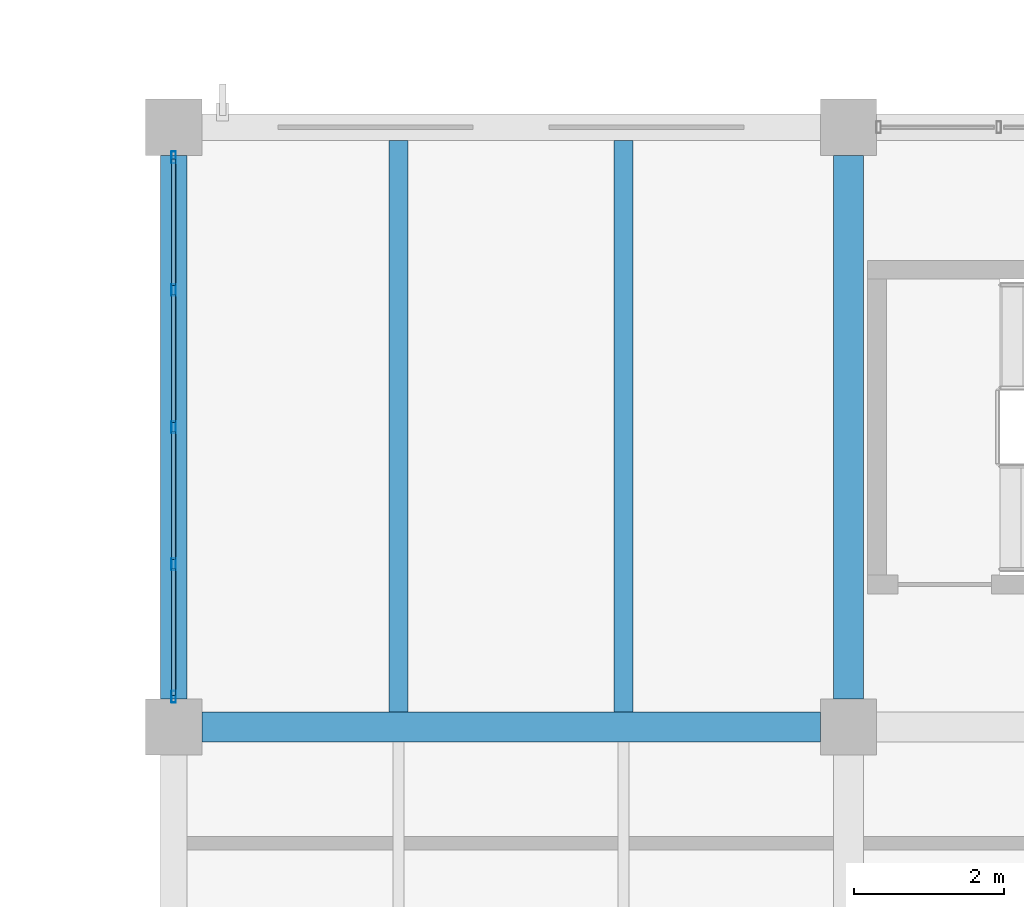
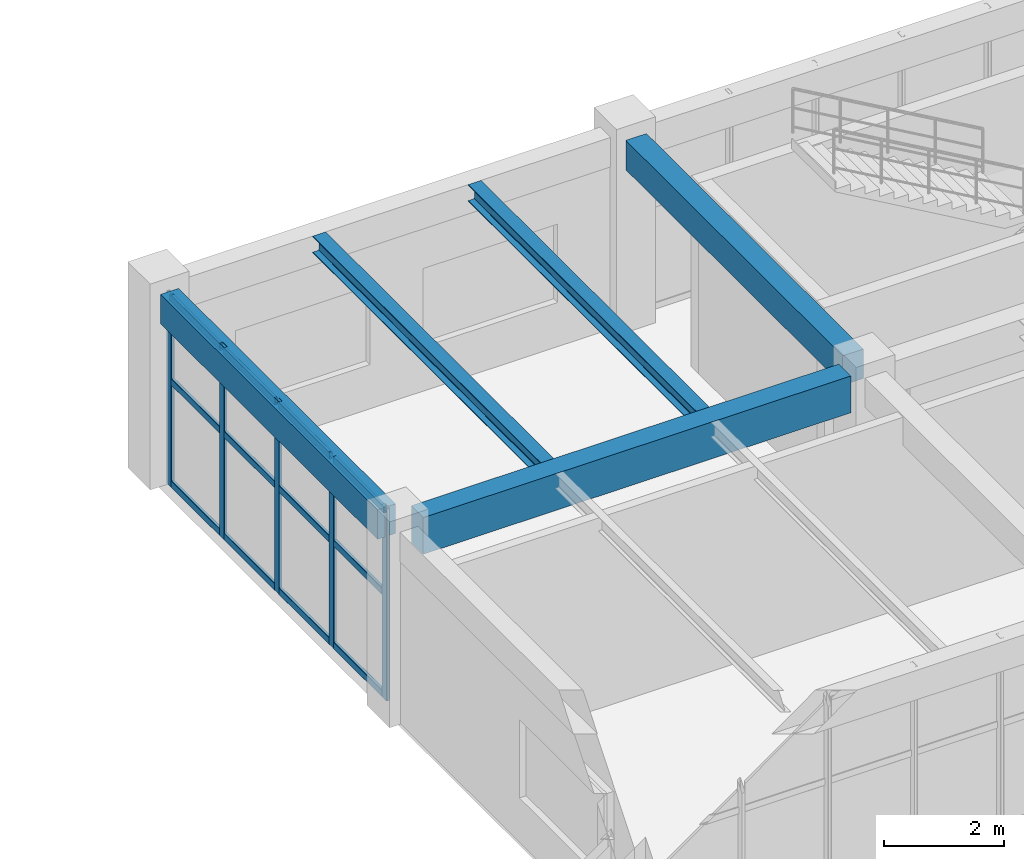
# One storey, part 82 of 148: 17 members, 5 beams, 1 element without a shape of its own.
"""IFC4 building model written with IfcOpenShell, lengths in metres."""

from ifc_helpers import new_model, si_unit, derived_unit, direction, frame, origin, origin_2d, place, context, subcontext, project, spatial, rectangle, hollow_rectangle, i_section, extrude, material, material_profile, profile_set, type_object, element, aggregate, save


model = new_model("IFC4")

# Units and contexts
model_context = context("Model", 3, precision=1e-05, world=origin(), true_north=direction((0.0, 1.0)))
body_context = subcontext(model_context, "Body", "Model", "MODEL_VIEW")
ifc_project = project(units=[si_unit("LENGTHUNIT", "METRE"), si_unit("AREAUNIT", "SQUARE_METRE"), si_unit("VOLUMEUNIT", "CUBIC_METRE"), si_unit("PLANEANGLEUNIT", "RADIAN"), si_unit("MASSUNIT", "GRAM", prefix="KILO"), derived_unit("THERMALTRANSMITTANCEUNIT", [(si_unit("MASSUNIT", "GRAM", prefix="KILO"), 1), (si_unit("TIMEUNIT", "SECOND"), -3), (si_unit("THERMODYNAMICTEMPERATUREUNIT", "KELVIN"), -1)])], contexts=[model_context])

# Site, building, storey
site_placement = place(None, origin())
site = spatial("IfcSite", under=ifc_project, at=site_placement, CompositionType="ELEMENT")
building_placement = place(site_placement, origin())
building = spatial("IfcBuilding", under=site, at=building_placement, Name="Zhenchuan Archway Interchange", CompositionType="ELEMENT")
storey_placement = place(building_placement, frame((0.0, 0.0, 10.199951171875)))
storey = spatial("IfcBuildingStorey", under=building, at=storey_placement, Name="L02", CompositionType="ELEMENT", Elevation=10.199951171875)

# Beams
ifc_material_1 = material(Name="Concrete C40", Category="concrete")
ifc_material_profile_1 = material_profile(ifc_material_1, rectangle(XDim=0.39990234375, YDim=0.60009765625, at=origin_2d()), Name="RC 400x600")
ifc_profile_set_1 = profile_set([ifc_material_profile_1], Name="Concrete C40")
beam_type_1 = type_object("IfcBeamType", Name="BM_RC_400x600", PredefinedType="BEAM", material=ifc_profile_set_1)
beam_1_placement = place(storey_placement, frame((117.0, 96.375, 3.6201171875), z_axis=(0.0, 1.0, 0.0), x_axis=(-1.0, 0.0, 0.0)))
element("IfcBeam", 1, at=beam_1_placement, inside=storey, type_object=beam_type_1, Name="Beam 14:N-O (L02)", PredefinedType="BEAM", context=body_context, shape_type="SweptSolid", body=[
    extrude(rectangle(XDim=0.39990234375, YDim=0.60009765625, at=origin_2d()), origin(), (0.0, 0.0, 1.0), 7.25),
])
ifc_material_profile_2 = material_profile(ifc_material_1, rectangle(XDim=0.39990234375, YDim=0.75, at=origin_2d()), Name="RC 400x750")
ifc_profile_set_2 = profile_set([ifc_material_profile_2], Name="Concrete C40")
beam_type_2 = type_object("IfcBeamType", Name="BM_RC_400x750", PredefinedType="BEAM", material=ifc_profile_set_2)
beam_2_placement = place(storey_placement, frame((108.375, 96.0, 3.545166015625), z_axis=(1.0, 0.0, 0.0), x_axis=(0.0, 1.0, 0.0)))
element("IfcBeam", 2, at=beam_2_placement, inside=storey, type_object=beam_type_2, Name="Beam N:13-14 (L02)", PredefinedType="BEAM", context=body_context, shape_type="SweptSolid", body=[
    extrude(rectangle(XDim=0.39990234375, YDim=0.75, at=origin_2d()), origin(), (0.0, 0.0, 1.0), 8.25),
])

# Curtain wall, members
ifc_material_2 = material(Name="Anodised Aluminium", Category="aluminium")
curtain_wall_type = type_object("IfcCurtainWallType", Name="CW_UNIT_4", PredefinedType="NOTDEFINED", material=ifc_material_2)
curtain_wall_placement = place(storey_placement, origin())
curtain_wall = element("IfcCurtainWall", 3, at=curtain_wall_placement, inside=storey, type_object=curtain_wall_type, Name="Unitised curtain wall CW:L02:147", PredefinedType="NOTDEFINED")
ifc_material_profile_3 = material_profile(ifc_material_2, hollow_rectangle(XDim=0.06005859375, YDim=0.159912109375, WallThickness=0.00390625, InnerFilletRadius=0.00390625, OuterFilletRadius=0.008056640625, at=origin_2d()), Name="ALU 160x60x4")
ifc_profile_set_3 = profile_set([ifc_material_profile_3], Name="Anodised Aluminium")
member_type_1 = type_object("IfcMemberType", Name="CW_MUL_150", PredefinedType="MULLION", material=ifc_profile_set_3)
member_1_placement = place(storey_placement, frame((108.0, 96.403076171875, 0.0), z_axis=(0.0, 0.0, 1.0), x_axis=(1.0, 0.0, 0.0)))
member_1 = element("IfcMember", 4, at=member_1_placement, type_object=member_type_1, Name="CW:L02:147 mullion 0", PredefinedType="MULLION", context=body_context, shape_type="SweptSolid", body=[
    extrude(hollow_rectangle(XDim=0.06005859375, YDim=0.159912109375, WallThickness=0.00390625, InnerFilletRadius=0.00390625, OuterFilletRadius=0.008056640625, at=origin_2d()), origin(), (0.0, 0.0, 1.0), 3.920166015625),
])
member_2_placement = place(storey_placement, frame((108.0, 98.17138671875, 0.0), z_axis=(0.0, 0.0, 1.0), x_axis=(1.0, 0.0, 0.0)))
member_2 = element("IfcMember", 5, at=member_2_placement, type_object=member_type_1, Name="CW:L02:147 mullion 1", PredefinedType="MULLION", context=body_context, shape_type="SweptSolid", body=[
    extrude(hollow_rectangle(XDim=0.06005859375, YDim=0.159912109375, WallThickness=0.00390625, InnerFilletRadius=0.00390625, OuterFilletRadius=0.008056640625, at=origin_2d()), origin(), (0.0, 0.0, 1.0), 3.920166015625),
])
member_3_placement = place(storey_placement, frame((108.0, 100.0, 0.0), z_axis=(0.0, 0.0, 1.0), x_axis=(1.0, 0.0, 0.0)))
member_3 = element("IfcMember", 6, at=member_3_placement, type_object=member_type_1, Name="CW:L02:147 mullion 2", PredefinedType="MULLION", context=body_context, shape_type="SweptSolid", body=[
    extrude(hollow_rectangle(XDim=0.06005859375, YDim=0.159912109375, WallThickness=0.00390625, InnerFilletRadius=0.00390625, OuterFilletRadius=0.008056640625, at=origin_2d()), origin(), (0.0, 0.0, 1.0), 3.920166015625),
])
member_4_placement = place(storey_placement, frame((108.0, 101.82861328125, 0.0), z_axis=(0.0, 0.0, 1.0), x_axis=(1.0, 0.0, 0.0)))
member_4 = element("IfcMember", 7, at=member_4_placement, type_object=member_type_1, Name="CW:L02:147 mullion 3", PredefinedType="MULLION", context=body_context, shape_type="SweptSolid", body=[
    extrude(hollow_rectangle(XDim=0.06005859375, YDim=0.159912109375, WallThickness=0.00390625, InnerFilletRadius=0.00390625, OuterFilletRadius=0.008056640625, at=origin_2d()), origin(), (0.0, 0.0, 1.0), 3.920166015625),
])
member_5_placement = place(storey_placement, frame((108.0, 103.596923828125, 0.0), z_axis=(0.0, 0.0, 1.0), x_axis=(1.0, 0.0, 0.0)))
member_5 = element("IfcMember", 8, at=member_5_placement, type_object=member_type_1, Name="CW:L02:147 mullion 4", PredefinedType="MULLION", context=body_context, shape_type="SweptSolid", body=[
    extrude(hollow_rectangle(XDim=0.06005859375, YDim=0.159912109375, WallThickness=0.00390625, InnerFilletRadius=0.00390625, OuterFilletRadius=0.008056640625, at=origin_2d()), origin(), (0.0, 0.0, 1.0), 3.920166015625),
])
ifc_material_profile_4 = material_profile(ifc_material_2, hollow_rectangle(XDim=0.06005859375, YDim=0.139892578125, WallThickness=0.00341796875, InnerFilletRadius=0.00341796875, OuterFilletRadius=0.007080078125, at=origin_2d()), Name="ALU 140x60x3.5")
ifc_profile_set_4 = profile_set([ifc_material_profile_4], Name="Anodised Aluminium")
member_type_2 = type_object("IfcMemberType", Name="CW_TRN_140", PredefinedType="USERDEFINED", material=ifc_profile_set_4)
member_6_placement = place(storey_placement, frame((108.0, 96.423095703125, 0.06005859375), z_axis=(0.0, 1.0, 0.0), x_axis=(-1.0, 0.0, 0.0)))
member_6 = element("IfcMember", 9, at=member_6_placement, type_object=member_type_2, Name="CW:L02:147 transom 0-1", ObjectType="TRANSOM", PredefinedType="USERDEFINED", context=body_context, shape_type="SweptSolid", body=[
    extrude(hollow_rectangle(XDim=0.06005859375, YDim=0.139892578125, WallThickness=0.00341796875, InnerFilletRadius=0.00341796875, OuterFilletRadius=0.007080078125, at=origin_2d()), origin(), (0.0, 0.0, 1.0), 1.6884765625),
])
member_7_placement = place(storey_placement, frame((108.0, 96.423095703125, 2.14501953125), z_axis=(0.0, 1.0, 0.0), x_axis=(-1.0, 0.0, 0.0)))
member_7 = element("IfcMember", 10, at=member_7_placement, type_object=member_type_2, Name="CW:L02:147 transom 0-2", ObjectType="TRANSOM", PredefinedType="USERDEFINED", context=body_context, shape_type="SweptSolid", body=[
    extrude(hollow_rectangle(XDim=0.06005859375, YDim=0.139892578125, WallThickness=0.00341796875, InnerFilletRadius=0.00341796875, OuterFilletRadius=0.007080078125, at=origin_2d()), origin(), (0.0, 0.0, 1.0), 1.6884765625),
])
member_8_placement = place(storey_placement, frame((108.0, 96.423095703125, 3.840087890625), z_axis=(0.0, 1.0, 0.0), x_axis=(-1.0, 0.0, 0.0)))
member_8 = element("IfcMember", 11, at=member_8_placement, type_object=member_type_2, Name="CW:L02:147 transom 0-3", ObjectType="TRANSOM", PredefinedType="USERDEFINED", context=body_context, shape_type="SweptSolid", body=[
    extrude(hollow_rectangle(XDim=0.06005859375, YDim=0.139892578125, WallThickness=0.00341796875, InnerFilletRadius=0.00341796875, OuterFilletRadius=0.007080078125, at=origin_2d()), origin(), (0.0, 0.0, 1.0), 1.6884765625),
])
member_9_placement = place(storey_placement, frame((108.0, 98.2314453125, 0.06005859375), z_axis=(0.0, 1.0, 0.0), x_axis=(-1.0, 0.0, 0.0)))
member_9 = element("IfcMember", 12, at=member_9_placement, type_object=member_type_2, Name="CW:L02:147 transom 1-1", ObjectType="TRANSOM", PredefinedType="USERDEFINED", context=body_context, shape_type="SweptSolid", body=[
    extrude(hollow_rectangle(XDim=0.06005859375, YDim=0.139892578125, WallThickness=0.00341796875, InnerFilletRadius=0.00341796875, OuterFilletRadius=0.007080078125, at=origin_2d()), origin(), (0.0, 0.0, 1.0), 1.70849609375),
])
member_10_placement = place(storey_placement, frame((108.0, 98.2314453125, 2.14501953125), z_axis=(0.0, 1.0, 0.0), x_axis=(-1.0, 0.0, 0.0)))
member_10 = element("IfcMember", 13, at=member_10_placement, type_object=member_type_2, Name="CW:L02:147 transom 1-2", ObjectType="TRANSOM", PredefinedType="USERDEFINED", context=body_context, shape_type="SweptSolid", body=[
    extrude(hollow_rectangle(XDim=0.06005859375, YDim=0.139892578125, WallThickness=0.00341796875, InnerFilletRadius=0.00341796875, OuterFilletRadius=0.007080078125, at=origin_2d()), origin(), (0.0, 0.0, 1.0), 1.70849609375),
])
member_11_placement = place(storey_placement, frame((108.0, 98.2314453125, 3.840087890625), z_axis=(0.0, 1.0, 0.0), x_axis=(-1.0, 0.0, 0.0)))
member_11 = element("IfcMember", 14, at=member_11_placement, type_object=member_type_2, Name="CW:L02:147 transom 1-3", ObjectType="TRANSOM", PredefinedType="USERDEFINED", context=body_context, shape_type="SweptSolid", body=[
    extrude(hollow_rectangle(XDim=0.06005859375, YDim=0.139892578125, WallThickness=0.00341796875, InnerFilletRadius=0.00341796875, OuterFilletRadius=0.007080078125, at=origin_2d()), origin(), (0.0, 0.0, 1.0), 1.70849609375),
])
member_12_placement = place(storey_placement, frame((108.0, 100.06005859375, 0.06005859375), z_axis=(0.0, 1.0, 0.0), x_axis=(-1.0, 0.0, 0.0)))
member_12 = element("IfcMember", 15, at=member_12_placement, type_object=member_type_2, Name="CW:L02:147 transom 2-1", ObjectType="TRANSOM", PredefinedType="USERDEFINED", context=body_context, shape_type="SweptSolid", body=[
    extrude(hollow_rectangle(XDim=0.06005859375, YDim=0.139892578125, WallThickness=0.00341796875, InnerFilletRadius=0.00341796875, OuterFilletRadius=0.007080078125, at=origin_2d()), origin(), (0.0, 0.0, 1.0), 1.70849609375),
])
member_13_placement = place(storey_placement, frame((108.0, 100.06005859375, 2.14501953125), z_axis=(0.0, 1.0, 0.0), x_axis=(-1.0, 0.0, 0.0)))
member_13 = element("IfcMember", 16, at=member_13_placement, type_object=member_type_2, Name="CW:L02:147 transom 2-2", ObjectType="TRANSOM", PredefinedType="USERDEFINED", context=body_context, shape_type="SweptSolid", body=[
    extrude(hollow_rectangle(XDim=0.06005859375, YDim=0.139892578125, WallThickness=0.00341796875, InnerFilletRadius=0.00341796875, OuterFilletRadius=0.007080078125, at=origin_2d()), origin(), (0.0, 0.0, 1.0), 1.70849609375),
])
member_14_placement = place(storey_placement, frame((108.0, 100.06005859375, 3.840087890625), z_axis=(0.0, 1.0, 0.0), x_axis=(-1.0, 0.0, 0.0)))
member_14 = element("IfcMember", 17, at=member_14_placement, type_object=member_type_2, Name="CW:L02:147 transom 2-3", ObjectType="TRANSOM", PredefinedType="USERDEFINED", context=body_context, shape_type="SweptSolid", body=[
    extrude(hollow_rectangle(XDim=0.06005859375, YDim=0.139892578125, WallThickness=0.00341796875, InnerFilletRadius=0.00341796875, OuterFilletRadius=0.007080078125, at=origin_2d()), origin(), (0.0, 0.0, 1.0), 1.70849609375),
])
member_15_placement = place(storey_placement, frame((108.0, 101.888427734375, 0.06005859375), z_axis=(0.0, 1.0, 0.0), x_axis=(-1.0, 0.0, 0.0)))
member_15 = element("IfcMember", 18, at=member_15_placement, type_object=member_type_2, Name="CW:L02:147 transom 3-1", ObjectType="TRANSOM", PredefinedType="USERDEFINED", context=body_context, shape_type="SweptSolid", body=[
    extrude(hollow_rectangle(XDim=0.06005859375, YDim=0.139892578125, WallThickness=0.00341796875, InnerFilletRadius=0.00341796875, OuterFilletRadius=0.007080078125, at=origin_2d()), origin(), (0.0, 0.0, 1.0), 1.6884765625),
])
member_16_placement = place(storey_placement, frame((108.0, 101.888427734375, 2.14501953125), z_axis=(0.0, 1.0, 0.0), x_axis=(-1.0, 0.0, 0.0)))
member_16 = element("IfcMember", 19, at=member_16_placement, type_object=member_type_2, Name="CW:L02:147 transom 3-2", ObjectType="TRANSOM", PredefinedType="USERDEFINED", context=body_context, shape_type="SweptSolid", body=[
    extrude(hollow_rectangle(XDim=0.06005859375, YDim=0.139892578125, WallThickness=0.00341796875, InnerFilletRadius=0.00341796875, OuterFilletRadius=0.007080078125, at=origin_2d()), origin(), (0.0, 0.0, 1.0), 1.6884765625),
])
member_17_placement = place(storey_placement, frame((108.0, 101.888427734375, 3.840087890625), z_axis=(0.0, 1.0, 0.0), x_axis=(-1.0, 0.0, 0.0)))
member_17 = element("IfcMember", 20, at=member_17_placement, type_object=member_type_2, Name="CW:L02:147 transom 3-3", ObjectType="TRANSOM", PredefinedType="USERDEFINED", context=body_context, shape_type="SweptSolid", body=[
    extrude(hollow_rectangle(XDim=0.06005859375, YDim=0.139892578125, WallThickness=0.00341796875, InnerFilletRadius=0.00341796875, OuterFilletRadius=0.007080078125, at=origin_2d()), origin(), (0.0, 0.0, 1.0), 1.6884765625),
])
aggregate(curtain_wall, [member_1, member_2, member_3, member_4, member_5, member_6, member_7, member_8, member_9, member_10, member_11, member_12, member_13, member_14, member_15, member_16, member_17])

# Beams
ifc_material_3 = material(Name="Steel Q355", Category="steel")
ifc_material_profile_5 = material_profile(ifc_material_3, i_section(OverallWidth=0.25, OverallDepth=0.340087890625, WebThickness=0.009033203125, FlangeThickness=0.013916015625, FilletRadius=0.01806640625, at=origin_2d()), Name="HM 340x250")
ifc_profile_set_5 = profile_set([ifc_material_profile_5], Name="Steel Q355")
beam_type_3 = type_object("IfcBeamType", Name="JST_STL_HM340", PredefinedType="JOIST", material=ifc_profile_set_5)
for number, where, z_axis, x_axis, name in (
    (21, (111.0, 96.199951171875, 3.75), (0.0, 1.0, 0.0), (-1.0, 0.0, 0.0), "Secondary joist 13-14/N-O #1 (L02)"),
    (22, (114.0, 96.199951171875, 3.75), (0.0, 1.0, 0.0), (-1.0, 0.0, 0.0), "Secondary joist 13-14/N-O #2 (L02)"),
):
    element("IfcBeam", number, at=place(storey_placement, frame(where, z_axis=z_axis, x_axis=x_axis)), inside=storey, type_object=beam_type_3, Name=name, PredefinedType="JOIST", context=body_context, shape_type="SweptSolid", body=[
        extrude(i_section(OverallWidth=0.25, OverallDepth=0.340087890625, WebThickness=0.009033203125, FlangeThickness=0.013916015625, FilletRadius=0.01806640625, at=origin_2d()), origin(), (0.0, 0.0, 1.0), 7.625),
    ])
ifc_material_profile_6 = material_profile(ifc_material_1, rectangle(XDim=0.35009765625, YDim=0.60009765625, at=origin_2d()), Name="RC 350x600")
ifc_profile_set_6 = profile_set([ifc_material_profile_6], Name="Concrete C40")
beam_type_4 = type_object("IfcBeamType", Name="SP_RC_350x600", PredefinedType="SPANDREL", material=ifc_profile_set_6)
beam_3_placement = place(storey_placement, frame((108.0, 96.375, 3.6201171875), z_axis=(0.0, 1.0, 0.0), x_axis=(-1.0, 0.0, 0.0)))
element("IfcBeam", 23, at=beam_3_placement, inside=storey, type_object=beam_type_4, Name="Beam 13:N-O (L02)", PredefinedType="SPANDREL", context=body_context, shape_type="SweptSolid", body=[
    extrude(rectangle(XDim=0.35009765625, YDim=0.60009765625, at=origin_2d()), origin(), (0.0, 0.0, 1.0), 7.25),
])

save(model, "model.ifc")
